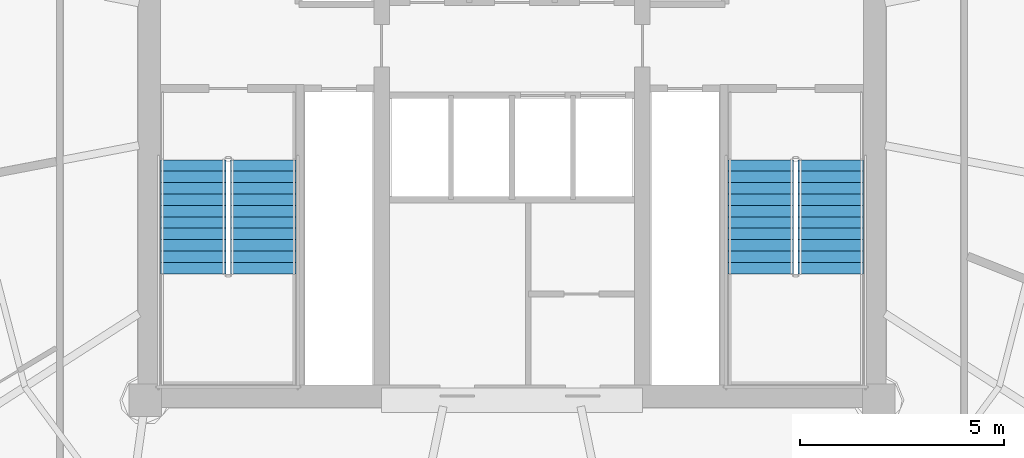
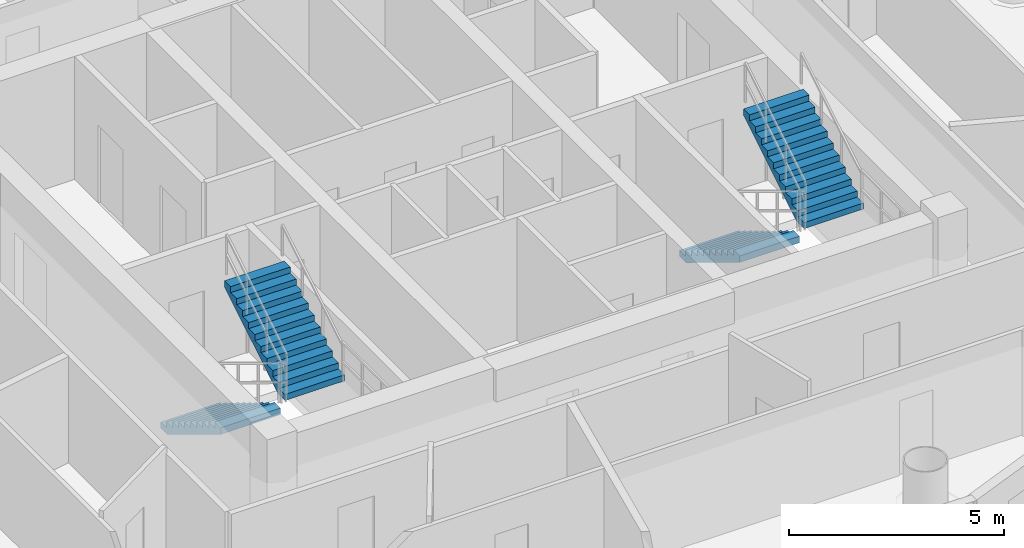
# One storey, part 20 of 23: 4 stair flights, 2 elements without a shape of their own.
"""IFC4 building model written with IfcOpenShell, lengths in metres."""

import ifcopenshell
import ifcopenshell.guid

model = None  # the IFC model being written
_history = None  # IfcOwnerHistory: only IFC2X3 demands one
_inside = {}  # id of a spatial element -> (the spatial element, [elements in it])
_under = {}  # id of a project, library or spatial element -> (it, [spatial elements below it])
_declared = {}  # id of a project -> (the project, [libraries it declares])
_typed = {}  # id of a type object -> (the type object, [elements of that type])
_made_of = {}  # id of a material, layer set ... -> (it, [elements and type objects made of it])


def new_model(schema):
    """Start an empty IFC model of exactly this schema.

    Asked for "IFC4X3", IfcOpenShell would pick the latest addendum, in which some entities
    have other attributes; the version numbers below select the first issue.
    IFC2X3 requires an IfcOwnerHistory on every rooted entity: one is made here for all.
    """
    global model, _history
    if schema == "IFC4X3":
        model = ifcopenshell.file(schema_version=(4, 3, 0, 0))
    else:
        model = ifcopenshell.file(schema=schema)
    _inside.clear()
    _under.clear()
    _declared.clear()
    _typed.clear()
    _made_of.clear()
    _history = None
    if model.schema == "IFC2X3":
        org = make("IfcOrganization", Name="unknown")
        user = make(
            "IfcPersonAndOrganization",
            ThePerson=make("IfcPerson", FamilyName="unknown"),
            TheOrganization=org,
        )
        app = make(
            "IfcApplication",
            ApplicationDeveloper=org,
            Version="unknown",
            ApplicationFullName="unknown",
            ApplicationIdentifier="unknown",
        )
        _history = make(
            "IfcOwnerHistory",
            OwningUser=user,
            OwningApplication=app,
            ChangeAction="ADDED",
            CreationDate=0,
        )
    return model


def make(cls, **values):
    """One entity of the class cls with the attributes given. An attribute that is None is left unset."""
    return model.create_entity(
        cls, **{name: value for name, value in values.items() if value is not None}
    )


def rooted(cls, **values):
    """An entity with a GlobalId (a new one), such as an element, a storey or a relation."""
    return make(cls, GlobalId=ifcopenshell.guid.new(), OwnerHistory=_history, **values)


def si_unit(unit_type, name, prefix=None):
    """IfcSIUnit, for example si_unit("LENGTHUNIT", "METRE", prefix="MILLI")."""
    return make("IfcSIUnit", UnitType=unit_type, Prefix=prefix, Name=name)


def assignment(units):
    """IfcUnitAssignment: the units of a project."""
    return None if units is None else make("IfcUnitAssignment", Units=units)


def point(xyz):
    """IfcCartesianPoint."""
    return None if xyz is None else make("IfcCartesianPoint", Coordinates=xyz)


def direction(xyz):
    """IfcDirection."""
    return None if xyz is None else make("IfcDirection", DirectionRatios=xyz)


def frame(location, z_axis=None, x_axis=None):
    """IfcAxis2Placement3D, a coordinate frame: its origin and axes. An axis left out is left unset."""
    return make(
        "IfcAxis2Placement3D",
        Location=point(location),
        Axis=direction(z_axis),
        RefDirection=direction(x_axis),
    )


def origin():
    """The frame at (0, 0, 0) with its axes left unset."""
    return frame((0.0, 0.0, 0.0))


def place(relative_to, where):
    """IfcLocalPlacement: puts the frame where relative to a parent placement (None: the world)."""
    return make(
        "IfcLocalPlacement", PlacementRelTo=relative_to, RelativePlacement=where
    )


def context(
    kind, dimensions, precision=None, world=None, true_north=None, identifier=None
):
    """IfcGeometricRepresentationContext, for example the 3D "Model" context."""
    return make(
        "IfcGeometricRepresentationContext",
        ContextIdentifier=identifier,
        ContextType=kind,
        CoordinateSpaceDimension=dimensions,
        Precision=precision,
        WorldCoordinateSystem=world,
        TrueNorth=true_north,
    )


def subcontext(parent, identifier, kind, view, scale=None):
    """IfcGeometricRepresentationSubContext, for example "Body" below "Model"."""
    return make(
        "IfcGeometricRepresentationSubContext",
        ContextIdentifier=identifier,
        ContextType=kind,
        ParentContext=parent,
        TargetScale=scale,
        TargetView=view,
    )


def project(units=None, contexts=None):
    """IfcProject with its units and contexts."""
    return rooted(
        "IfcProject",
        Name="project",
        RepresentationContexts=contexts,
        UnitsInContext=assignment(units),
    )


def spatial(cls, under=None, at=None, **own):
    """A site, building, storey or space (cls), placed at a placement, below another one or the project."""
    s = rooted(cls, ObjectPlacement=at, **own)
    if under is not None:
        _under.setdefault(under.id(), (under, []))[1].append(s)
    return s


def polyline(points):
    """IfcPolyline through the points."""
    return make("IfcPolyline", Points=[point(p) for p in points])


def outline(outer, holes=None, kind="AREA"):
    """IfcArbitraryClosedProfileDef: a profile drawn as a closed curve; with holes, ...WithVoids."""
    if holes is None:
        return make("IfcArbitraryClosedProfileDef", ProfileType=kind, OuterCurve=outer)
    return make(
        "IfcArbitraryProfileDefWithVoids",
        ProfileType=kind,
        OuterCurve=outer,
        InnerCurves=holes,
    )


def extrude(swept, where, along, depth):
    """IfcExtrudedAreaSolid: the profile swept, set in the frame where, extruded along a direction by depth."""
    return make(
        "IfcExtrudedAreaSolid",
        SweptArea=swept,
        Position=where,
        ExtrudedDirection=direction(along),
        Depth=depth,
    )


def shape(context_of_items, identifier, shape_type, items):
    """IfcShapeRepresentation: the items that make up one representation, for example the "Body"."""
    return make(
        "IfcShapeRepresentation",
        ContextOfItems=context_of_items,
        RepresentationIdentifier=identifier,
        RepresentationType=shape_type,
        Items=items,
    )


def material(Name=None, Category=None):
    """IfcMaterial."""
    return make("IfcMaterial", Name=Name, Category=Category)


def made_of(thing, what):
    """Note that an element or type object is made of a material, layer set ...; save() writes the relation."""
    if what is not None:
        _made_of.setdefault(what.id(), (what, []))[1].append(thing)
    return thing


def type_object(cls, material=None, **own):
    """A type object (cls), such as IfcWallType, which elements share."""
    return made_of(rooted(cls, **own), material)


def element(
    cls,
    number,
    at=None,
    inside=None,
    cuts=None,
    type_object=None,
    material=None,
    context=None,
    identifier="Body",
    shape_type=None,
    held_by="IfcProductDefinitionShape",
    body=None,
    shapes=None,
    **own,
):
    """One element of the class cls, such as IfcWall. Its Tag is "e" and its number.

    at: its placement. inside: the storey or other place that contains it. cuts: it is an
    opening in that element (IfcRelVoidsElement). A single representation is given by context,
    identifier, shape_type and body (its items); several are given by shapes. held_by: the class
    of the entity that holds the representations. save() writes the other relations.
    """
    e = rooted(cls, Tag="e%d" % number, ObjectPlacement=at, **own)
    if body is not None:
        shapes = [shape(context, identifier, shape_type, body)]
    if shapes is not None:
        e.Representation = make(held_by, Representations=shapes)
    if inside is not None:
        _inside.setdefault(inside.id(), (inside, []))[1].append(e)
    if cuts is not None:
        rooted(
            "IfcRelVoidsElement", RelatingBuildingElement=cuts, RelatedOpeningElement=e
        )
    if type_object is not None:
        _typed.setdefault(type_object.id(), (type_object, []))[1].append(e)
    return made_of(e, material)


def aggregate(whole, parts):
    """IfcRelAggregates: a whole, such as a stair, and the parts it consists of."""
    return rooted("IfcRelAggregates", RelatingObject=whole, RelatedObjects=parts)


def save(model, path):
    """Write the relations noted so far, then the file.

    IfcRelAggregates (storeys below a building ...), IfcRelContainedInSpatialStructure (elements
    in a storey), IfcRelDefinesByType, IfcRelAssociatesMaterial and IfcRelDeclares: one each for
    every whole, place, type object, material and project.
    """
    for whole, parts in _under.values():
        aggregate(whole, parts)
    for where, things in _inside.values():
        rooted(
            "IfcRelContainedInSpatialStructure",
            RelatedElements=things,
            RelatingStructure=where,
        )
    for kind, things in _typed.values():
        rooted("IfcRelDefinesByType", RelatedObjects=things, RelatingType=kind)
    for what, things in _made_of.values():
        rooted("IfcRelAssociatesMaterial", RelatedObjects=things, RelatingMaterial=what)
    for by, libraries in _declared.values():
        rooted("IfcRelDeclares", RelatingContext=by, RelatedDefinitions=libraries)
    model.write(path)


model = new_model("IFC4")

# Units and contexts
model_context = context("Model", 3, precision=1e-05, world=origin(), true_north=direction((-0.2419218956, 0.970295726276)))
body_context = subcontext(model_context, "Body", "Model", "MODEL_VIEW")
ifc_project = project(units=[si_unit("LENGTHUNIT", "METRE"), si_unit("AREAUNIT", "SQUARE_METRE"), si_unit("VOLUMEUNIT", "CUBIC_METRE"), si_unit("PLANEANGLEUNIT", "RADIAN"), si_unit("MASSUNIT", "GRAM", prefix="KILO")], contexts=[model_context])

# Site, building, storey
site_placement = place(None, origin())
site = spatial("IfcSite", under=ifc_project, at=site_placement, CompositionType="ELEMENT")
building_placement = place(site_placement, origin())
building = spatial("IfcBuilding", under=site, at=building_placement, Name="Cobrevalo Terracotta Tower", CompositionType="ELEMENT")
storey_placement = place(building_placement, frame((0.0, 0.0, 248.199951171875)))
storey = spatial("IfcBuildingStorey", under=building, at=storey_placement, Name="L65", CompositionType="ELEMENT", Elevation=248.199951171875)

# Stair, stair flights
ifc_material = material(Name="Concrete C50", Category="concrete")
stair_type = type_object("IfcStairType", Name="Core protected escape dogleg stair 1600", PredefinedType="HALF_TURN_STAIR", material=ifc_material)
stair_1_placement = place(storey_placement, origin())
stair_1 = element("IfcStair", 1, at=stair_1_placement, inside=storey, type_object=stair_type, Name="L65 Protected exit stair ST-1", PredefinedType="HALF_TURN_STAIR")
stair_flight_type = type_object("IfcStairFlightType", Name="Core protected escape dogleg stair 1600 flight", PredefinedType="STRAIGHT", material=ifc_material)
stair_flight_1_placement = place(storey_placement, frame((30.175048828125, 24.699951171875, 0.0), z_axis=(0.0, 0.0, 1.0), x_axis=(0.0, -1.0, 0.0)))
stair_flight_1 = element("IfcStairFlight", 2, at=stair_flight_1_placement, type_object=stair_flight_type, Name="ST-1 flight 1", NumberOfRisers=11, NumberOfTreads=10, PredefinedType="STRAIGHT", RiserHeight=0.170454545, TreadLength=0.28, context=body_context, shape_type="SweptSolid", body=[
    extrude(outline(polyline([(0.0, 0.0), (0.0, 0.17041015625), (0.280029296875, 0.17041015625), (0.280029296875, 0.3408203125), (0.56005859375, 0.3408203125), (0.56005859375, 0.511474609375), (0.840087890625, 0.511474609375), (0.840087890625, 0.681884765625), (1.1201171875, 0.681884765625), (1.1201171875, 0.852294921875), (1.39990234375, 0.852294921875), (1.39990234375, 1.022705078125), (1.679931640625, 1.022705078125), (1.679931640625, 1.193115234375), (1.9599609375, 1.193115234375), (1.9599609375, 1.363525390625), (2.239990234375, 1.363525390625), (2.239990234375, 1.5341796875), (2.52001953125, 1.5341796875), (2.52001953125, 1.70458984375), (2.800048828125, 1.70458984375), (2.800048828125, 1.875), (2.800048828125, 1.517333984375), (0.3076171875, 0.0), (0.0, 0.0)])), frame((0.0, 0.800048828125, 0.0), z_axis=(0.0, -1.0, 0.0), x_axis=(1.0, 0.0, 0.0)), (0.0, 0.0, 1.0), 1.60009765625),
])
stair_flight_2_placement = place(storey_placement, frame((31.89501953125, 21.89990234375, 1.875), z_axis=(0.0, 0.0, 1.0), x_axis=(0.0, 1.0, 0.0)))
stair_flight_2 = element("IfcStairFlight", 3, at=stair_flight_2_placement, type_object=stair_flight_type, Name="ST-1 flight 2", NumberOfRisers=11, NumberOfTreads=10, PredefinedType="STRAIGHT", RiserHeight=0.170454545, TreadLength=0.28, context=body_context, shape_type="SweptSolid", body=[
    extrude(outline(polyline([(0.0, 0.0), (0.0, 0.17041015625), (0.280029296875, 0.17041015625), (0.280029296875, 0.3408203125), (0.56005859375, 0.3408203125), (0.56005859375, 0.511474609375), (0.840087890625, 0.511474609375), (0.840087890625, 0.681884765625), (1.1201171875, 0.681884765625), (1.1201171875, 0.852294921875), (1.39990234375, 0.852294921875), (1.39990234375, 1.022705078125), (1.679931640625, 1.022705078125), (1.679931640625, 1.193115234375), (1.9599609375, 1.193115234375), (1.9599609375, 1.363525390625), (2.239990234375, 1.363525390625), (2.239990234375, 1.5341796875), (2.52001953125, 1.5341796875), (2.52001953125, 1.70458984375), (2.800048828125, 1.70458984375), (2.800048828125, 1.875), (2.800048828125, 1.517333984375), (0.3076171875, 0.0), (0.0, 0.0)])), frame((0.0, 0.800048828125, 0.0), z_axis=(0.0, -1.0, 0.0), x_axis=(1.0, 0.0, 0.0)), (0.0, 0.0, 1.0), 1.60009765625),
])
aggregate(stair_1, [stair_flight_1, stair_flight_2])

stair_2_placement = place(storey_placement, origin())
stair_2 = element("IfcStair", 4, at=stair_2_placement, inside=storey, type_object=stair_type, Name="L65 Protected exit stair ST-2", PredefinedType="HALF_TURN_STAIR")
stair_flight_3_placement = place(storey_placement, frame((44.10498046875, 24.699951171875, 0.0), z_axis=(0.0, 0.0, 1.0), x_axis=(0.0, -1.0, 0.0)))
stair_flight_3 = element("IfcStairFlight", 5, at=stair_flight_3_placement, type_object=stair_flight_type, Name="ST-2 flight 1", NumberOfRisers=11, NumberOfTreads=10, PredefinedType="STRAIGHT", RiserHeight=0.170454545, TreadLength=0.28, context=body_context, shape_type="SweptSolid", body=[
    extrude(outline(polyline([(0.0, 0.0), (0.0, 0.17041015625), (0.280029296875, 0.17041015625), (0.280029296875, 0.3408203125), (0.56005859375, 0.3408203125), (0.56005859375, 0.511474609375), (0.840087890625, 0.511474609375), (0.840087890625, 0.681884765625), (1.1201171875, 0.681884765625), (1.1201171875, 0.852294921875), (1.39990234375, 0.852294921875), (1.39990234375, 1.022705078125), (1.679931640625, 1.022705078125), (1.679931640625, 1.193115234375), (1.9599609375, 1.193115234375), (1.9599609375, 1.363525390625), (2.239990234375, 1.363525390625), (2.239990234375, 1.5341796875), (2.52001953125, 1.5341796875), (2.52001953125, 1.70458984375), (2.800048828125, 1.70458984375), (2.800048828125, 1.875), (2.800048828125, 1.517333984375), (0.3076171875, 0.0), (0.0, 0.0)])), frame((0.0, 0.800048828125, 0.0), z_axis=(0.0, -1.0, 0.0), x_axis=(1.0, 0.0, 0.0)), (0.0, 0.0, 1.0), 1.60009765625),
])
stair_flight_4_placement = place(storey_placement, frame((45.824951171875, 21.89990234375, 1.875), z_axis=(0.0, 0.0, 1.0), x_axis=(0.0, 1.0, 0.0)))
stair_flight_4 = element("IfcStairFlight", 6, at=stair_flight_4_placement, type_object=stair_flight_type, Name="ST-2 flight 2", NumberOfRisers=11, NumberOfTreads=10, PredefinedType="STRAIGHT", RiserHeight=0.170454545, TreadLength=0.28, context=body_context, shape_type="SweptSolid", body=[
    extrude(outline(polyline([(0.0, 0.0), (0.0, 0.17041015625), (0.280029296875, 0.17041015625), (0.280029296875, 0.3408203125), (0.56005859375, 0.3408203125), (0.56005859375, 0.511474609375), (0.840087890625, 0.511474609375), (0.840087890625, 0.681884765625), (1.1201171875, 0.681884765625), (1.1201171875, 0.852294921875), (1.39990234375, 0.852294921875), (1.39990234375, 1.022705078125), (1.679931640625, 1.022705078125), (1.679931640625, 1.193115234375), (1.9599609375, 1.193115234375), (1.9599609375, 1.363525390625), (2.239990234375, 1.363525390625), (2.239990234375, 1.5341796875), (2.52001953125, 1.5341796875), (2.52001953125, 1.70458984375), (2.800048828125, 1.70458984375), (2.800048828125, 1.875), (2.800048828125, 1.517333984375), (0.3076171875, 0.0), (0.0, 0.0)])), frame((0.0, 0.800048828125, 0.0), z_axis=(0.0, -1.0, 0.0), x_axis=(1.0, 0.0, 0.0)), (0.0, 0.0, 1.0), 1.60009765625),
])
aggregate(stair_2, [stair_flight_3, stair_flight_4])

save(model, "model.ifc")
